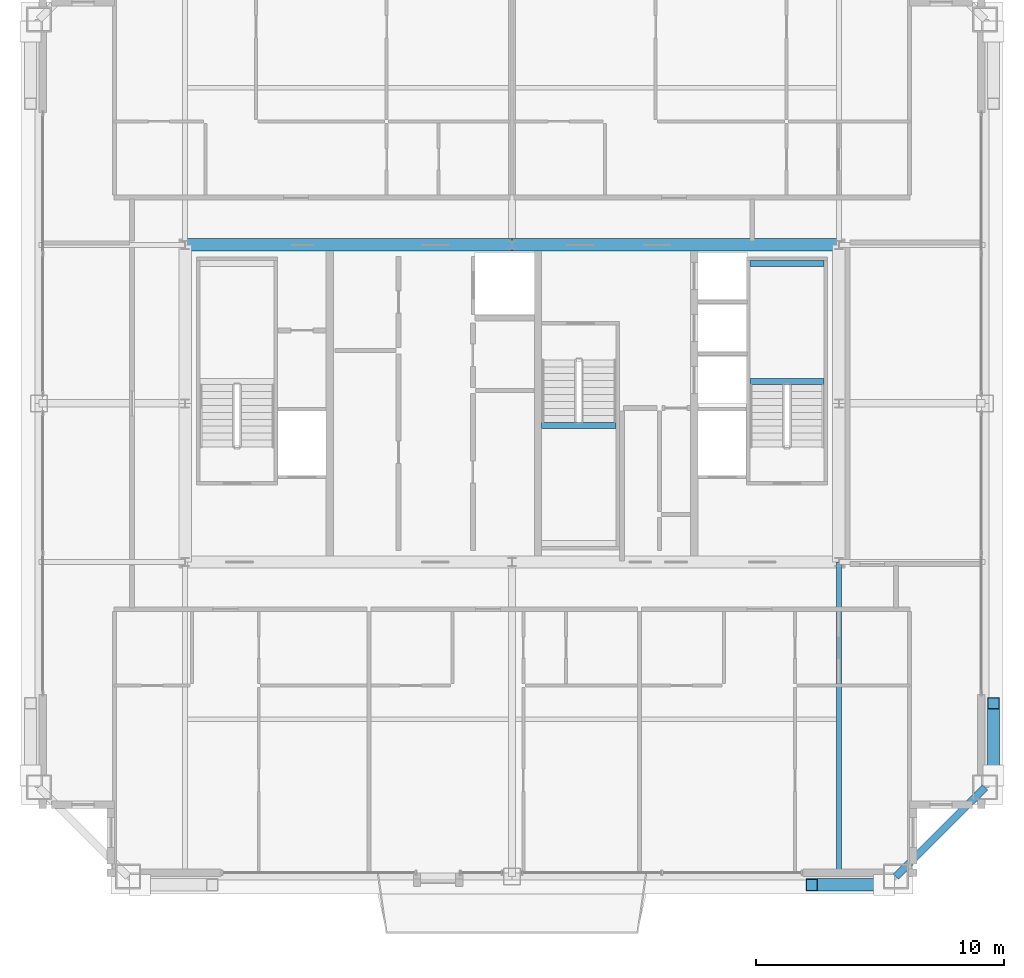
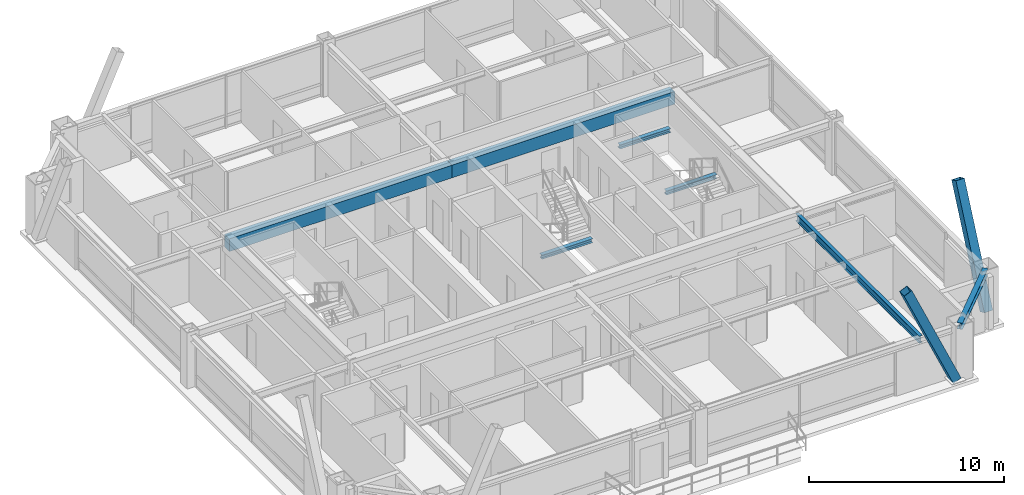
# One storey, part 12 of 35: 7 beams, 2 members.
"""IFC4 building model written with IfcOpenShell, lengths in metres."""

from ifc_helpers import new_model, si_unit, direction, frame, origin, origin_2d, place, context, subcontext, project, spatial, rectangle, hollow_rectangle, i_section, extrude, source, transform, mapped, material, material_profile, profile_set, type_object, element, save


model = new_model("IFC4")

# Units and contexts
model_context = context("Model", 3, precision=1e-05, world=origin(), true_north=direction((0.0, 1.0)))
body_context = subcontext(model_context, "Body", "Model", "MODEL_VIEW")
ifc_project = project(units=[si_unit("LENGTHUNIT", "METRE"), si_unit("AREAUNIT", "SQUARE_METRE"), si_unit("VOLUMEUNIT", "CUBIC_METRE"), si_unit("PLANEANGLEUNIT", "RADIAN"), si_unit("MASSUNIT", "GRAM", prefix="KILO"), si_unit("THERMODYNAMICTEMPERATUREUNIT", "KELVIN"), si_unit("POWERUNIT", "WATT")], contexts=[model_context])

# Site, building, storey
site_placement = place(None, origin())
site = spatial("IfcSite", under=ifc_project, at=site_placement, CompositionType="ELEMENT")
building_placement = place(site_placement, origin())
building = spatial("IfcBuilding", under=site, at=building_placement, Name="Yuzanri Waterfront Tower", CompositionType="ELEMENT")
storey_placement = place(building_placement, frame((0.0, 0.0, 314.699951171875)))
storey = spatial("IfcBuildingStorey", under=building, at=storey_placement, Name="L84", CompositionType="ELEMENT", Elevation=314.699951171875)

# Beams
ifc_material_1 = material(Name="Concrete C50", Category="concrete")
ifc_material_profile_1 = material_profile(ifc_material_1, rectangle(XDim=0.5, YDim=0.800048828125, at=origin_2d()), Name="RC 500x800")
ifc_profile_set_1 = profile_set([ifc_material_profile_1], Name="Concrete C50")
beam_type_1 = type_object("IfcBeamType", Name="Core Coupling Lintel Concrete C50 500x800", PredefinedType="LINTEL", material=ifc_profile_set_1)
shared_shape_1 = source(origin(), body_context, "Body", "SweptSolid", [
    extrude(rectangle(XDim=0.5, YDim=0.800048828125, at=origin_2d()), origin(), (0.0, 0.0, 1.0), 13.199951171875),
])
for number, where, z_axis, x_axis, name in (
    (1, (23.800048828125, 32.199951171875, 2.880126953125), (1.0, 0.0, 0.0), (0.0, 1.0, 0.0), "L84 Core Tie Beam CN1"),
    (2, (37.0, 32.199951171875, 2.880126953125), (1.0, 0.0, 0.0), (0.0, 1.0, 0.0), "L84 Core Tie Beam CN2"),
):
    element("IfcBeam", number, at=place(storey_placement, frame(where, z_axis=z_axis, x_axis=x_axis)), inside=storey, type_object=beam_type_1, Name=name, PredefinedType="LINTEL", context=body_context, shape_type="MappedRepresentation", body=[
        mapped(shared_shape_1, transform((0.0, 0.0, 0.0), scale=1.0)),
    ])
ifc_material_2 = material(Name="Steel Q355B", Category="steel")
ifc_material_profile_2 = material_profile(ifc_material_2, i_section(OverallWidth=0.300048828125, OverallDepth=0.389892578125, WebThickness=0.010009765625, FlangeThickness=0.01611328125, at=origin_2d()), Name="HM 390x300x10x16")
ifc_profile_set_2 = profile_set([ifc_material_profile_2], Name="Steel Q355B")
beam_type_2 = type_object("IfcBeamType", Name="Perimeter Spandrel Q355B HM 390x300", PredefinedType="SPANDREL", material=ifc_profile_set_2)
shared_shape_2 = source(origin(), body_context, "Body", "SweptSolid", [
    extrude(i_section(OverallWidth=0.300048828125, OverallDepth=0.389892578125, WebThickness=0.010009765625, FlangeThickness=0.01611328125, at=origin_2d()), origin(), (0.0, 0.0, 1.0), 5.09130859375),
])
beam_1_placement = place(storey_placement, frame((52.5, 6.699951171875, 3.0849609375), z_axis=(0.707106781187, 0.707106781187, 0.0), x_axis=(-0.707106781187, 0.707106781187, 0.0)))
element("IfcBeam", 3, at=beam_1_placement, inside=storey, type_object=beam_type_2, Name="L84 Perimeter Spandrel S3-E1", PredefinedType="SPANDREL", context=body_context, shape_type="MappedRepresentation", body=[
    mapped(shared_shape_2, transform((0.0, 0.0, 0.0), scale=1.0)),
])
ifc_material_3 = material(Name="Steel Q355B", Category="steel")
ifc_material_profile_3 = material_profile(ifc_material_3, i_section(OverallWidth=0.199951171875, OverallDepth=0.449951171875, WebThickness=0.009033203125, FlangeThickness=0.013916015625, at=origin_2d()), Name="HN 450x200x9x14")
ifc_profile_set_3 = profile_set([ifc_material_profile_3], Name="Steel Q355B")
beam_type_3 = type_object("IfcBeamType", Name="Secondary Floor Beam Q355B HN 450x200", PredefinedType="BEAM", material=ifc_profile_set_3)
shared_shape_3 = source(origin(), body_context, "Body", "SweptSolid", [
    extrude(i_section(OverallWidth=0.199951171875, OverallDepth=0.449951171875, WebThickness=0.009033203125, FlangeThickness=0.013916015625, at=origin_2d()), origin(), (0.0, 0.0, 1.0), 12.699951171875),
])
beam_2_placement = place(storey_placement, frame((50.199951171875, 19.39990234375, 3.054931640625), z_axis=(0.0, -1.0, 0.0), x_axis=(1.0, 0.0, 0.0)))
element("IfcBeam", 4, at=beam_2_placement, inside=storey, type_object=beam_type_3, Name="L84 South-East Core Line Beam", PredefinedType="BEAM", context=body_context, shape_type="MappedRepresentation", body=[
    mapped(shared_shape_3, transform((0.0, 0.0, 0.0), scale=1.0)),
])

# Members
ifc_material_4 = material(Name="Steel Q390GJC", Category="steel")
ifc_material_profile_4 = material_profile(ifc_material_4, hollow_rectangle(XDim=0.5, YDim=0.5, WallThickness=0.02197265625, at=origin_2d()), Name="RHS 500x500x22")
ifc_profile_set_4 = profile_set([ifc_material_profile_4], Name="Steel Q390GJC")
member_type = type_object("IfcMemberType", Name="Mega Brace Upper Q390GJC RHS 500x500x22", PredefinedType="BRACE", material=ifc_profile_set_4)
shared_shape_4 = source(origin(), body_context, "Body", "SweptSolid", [
    extrude(hollow_rectangle(XDim=0.5, YDim=0.5, WallThickness=0.02197265625, at=origin_2d()), origin(), (0.0, 0.0, 1.0), 7.125732421875),
])
for number, where, z_axis, x_axis, name in (
    (5, (52.02001953125, 6.360107421875, 0.179931640625), (-0.409771952938, 0.0, 0.912187999584), (0.0, -1.0, 0.0), "L84-L85 Perimeter Mega-Brace S-R"),
    (6, (56.43994140625, 10.780029296875, 0.179931640625), (0.0, 0.409771952938, 0.912187999584), (-1.0, 0.0, 0.0), "L84-L85 Perimeter Mega-Brace E-L"),
):
    element("IfcMember", number, at=place(storey_placement, frame(where, z_axis=z_axis, x_axis=x_axis)), inside=storey, type_object=member_type, Name=name, PredefinedType="BRACE", context=body_context, shape_type="MappedRepresentation", body=[
        mapped(shared_shape_4, transform((0.0, 0.0, 0.0), scale=1.0)),
    ])

# Beams
ifc_material_5 = material(Name="Steel Q355B", Category="steel")
ifc_material_profile_5 = material_profile(ifc_material_5, i_section(OverallWidth=0.25, OverallDepth=0.25, WebThickness=0.009033203125, FlangeThickness=0.013916015625, at=origin_2d()), Name="HW 250x250x9x14")
ifc_profile_set_5 = profile_set([ifc_material_profile_5], Name="Steel Q355B")
beam_type_4 = type_object("IfcBeamType", Name="Stair Landing Support Beam Q355B HW 250x250", PredefinedType="BEAM", material=ifc_profile_set_5)
shared_shape_5 = source(origin(), body_context, "Body", "SweptSolid", [
    extrude(i_section(OverallWidth=0.25, OverallDepth=0.25, WebThickness=0.009033203125, FlangeThickness=0.013916015625, at=origin_2d()), origin(), (0.0, 0.0, 1.0), 3.0),
])
for number, where, z_axis, x_axis, name in (
    (7, (46.60009765625, 26.68994140625, 1.425048828125), (1.0, 0.0, 0.0), (0.0, 1.0, 0.0), "L84 Stair Landing Support Beam ST-02-L84-L1-1"),
    (8, (46.60009765625, 31.449951171875, 1.425048828125), (1.0, 0.0, 0.0), (0.0, 1.0, 0.0), "L84 Stair Landing Support Beam ST-02-L84-L1-2"),
    (9, (38.199951171875, 24.909912109375, 1.425048828125), (1.0, 0.0, 0.0), (0.0, 1.0, 0.0), "L84 Stair Landing Support Beam ST-03-L84-L1-2"),
):
    element("IfcBeam", number, at=place(storey_placement, frame(where, z_axis=z_axis, x_axis=x_axis)), inside=storey, type_object=beam_type_4, Name=name, PredefinedType="BEAM", context=body_context, shape_type="MappedRepresentation", body=[
        mapped(shared_shape_5, transform((0.0, 0.0, 0.0), scale=1.0)),
    ])

save(model, "model.ifc")
